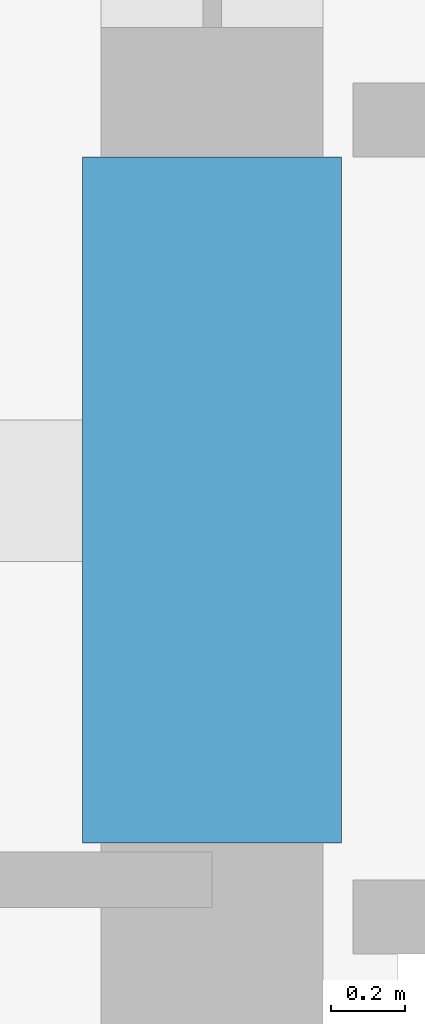
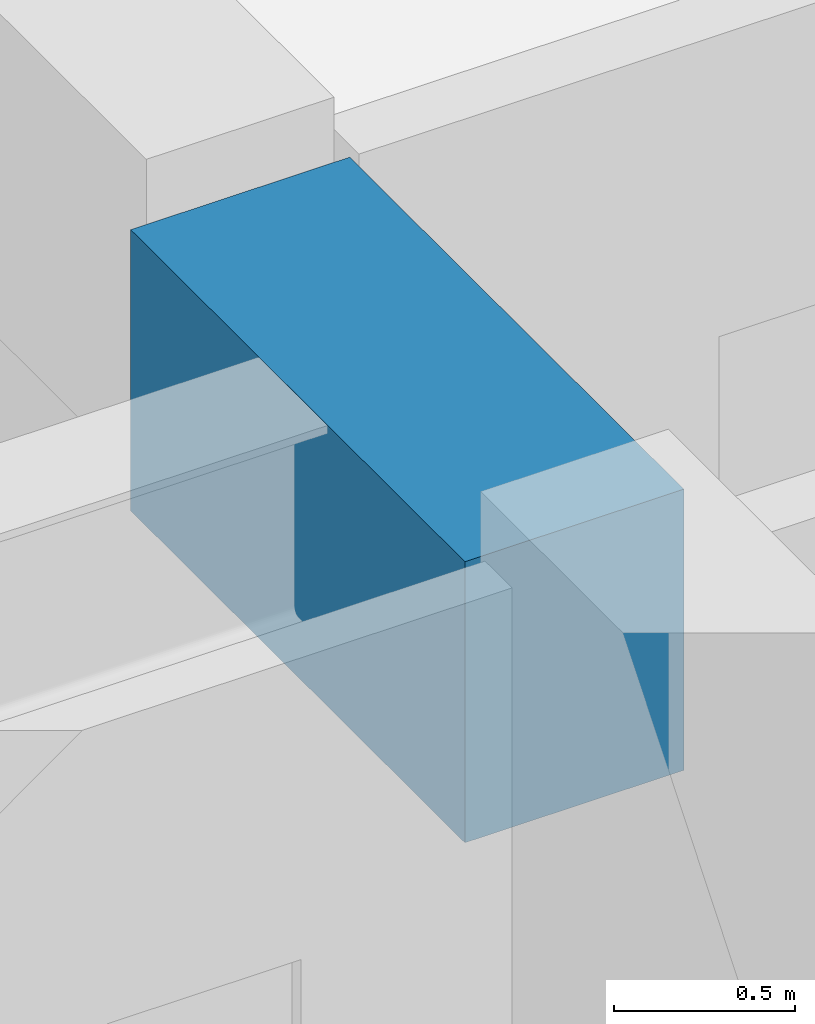
# One storey, part 10 of 38: 1 beam.
"""IFC4 building model written with IfcOpenShell, lengths in metres."""

from ifc_helpers import new_model, si_unit, direction, frame, origin, origin_2d, place, context, subcontext, project, spatial, rectangle, extrude, material, material_profile, profile_set, type_object, element, save


model = new_model("IFC4")

# Units and contexts
model_context = context("Model", 3, precision=1e-05, world=origin(), true_north=direction((0.0, 1.0)))
body_context = subcontext(model_context, "Body", "Model", "MODEL_VIEW")
ifc_project = project(units=[si_unit("LENGTHUNIT", "METRE"), si_unit("AREAUNIT", "SQUARE_METRE"), si_unit("VOLUMEUNIT", "CUBIC_METRE"), si_unit("PLANEANGLEUNIT", "RADIAN"), si_unit("MASSUNIT", "GRAM", prefix="KILO")], contexts=[model_context])

# Site, building, storey
site_placement = place(None, origin())
site = spatial("IfcSite", under=ifc_project, at=site_placement, CompositionType="ELEMENT")
building_placement = place(site_placement, origin())
building = spatial("IfcBuilding", under=site, at=building_placement, Name="Kolvaren Belvedere", CompositionType="ELEMENT")
storey_placement = place(building_placement, frame((0.0, 0.0, 78.800048828125)))
storey = spatial("IfcBuildingStorey", under=building, at=storey_placement, Name="L22", CompositionType="ELEMENT", Elevation=78.800048828125)

# Beam
ifc_material = material(Name="Concrete C60/75", Category="concrete")
ifc_material_profile = material_profile(ifc_material, rectangle(XDim=0.699951171875, YDim=0.949951171875, at=origin_2d()), Name="RC 700X950")
ifc_profile_set = profile_set([ifc_material_profile], Name="Concrete C60/75")
beam_type = type_object("IfcBeamType", Name="BM-LINT-950", PredefinedType="LINTEL", material=ifc_profile_set)
beam_placement = place(storey_placement, frame((-9.89990234375, -5.550048828125, 2.60498046875), z_axis=(0.0, 1.0, 0.0), x_axis=(-1.0, 0.0, 0.0)))
element("IfcBeam", 1, at=beam_placement, inside=storey, type_object=beam_type, Name="L22 West Core Coupling Lintel", PredefinedType="LINTEL", context=body_context, shape_type="SweptSolid", body=[
    extrude(rectangle(XDim=0.699951171875, YDim=0.949951171875, at=origin_2d()), origin(), (0.0, 0.0, 1.0), 1.85009765625),
])

save(model, "model.ifc")
